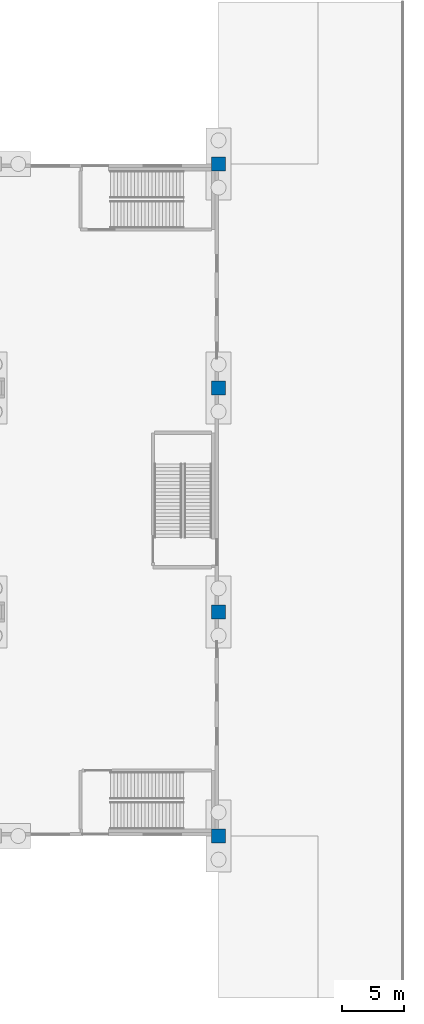
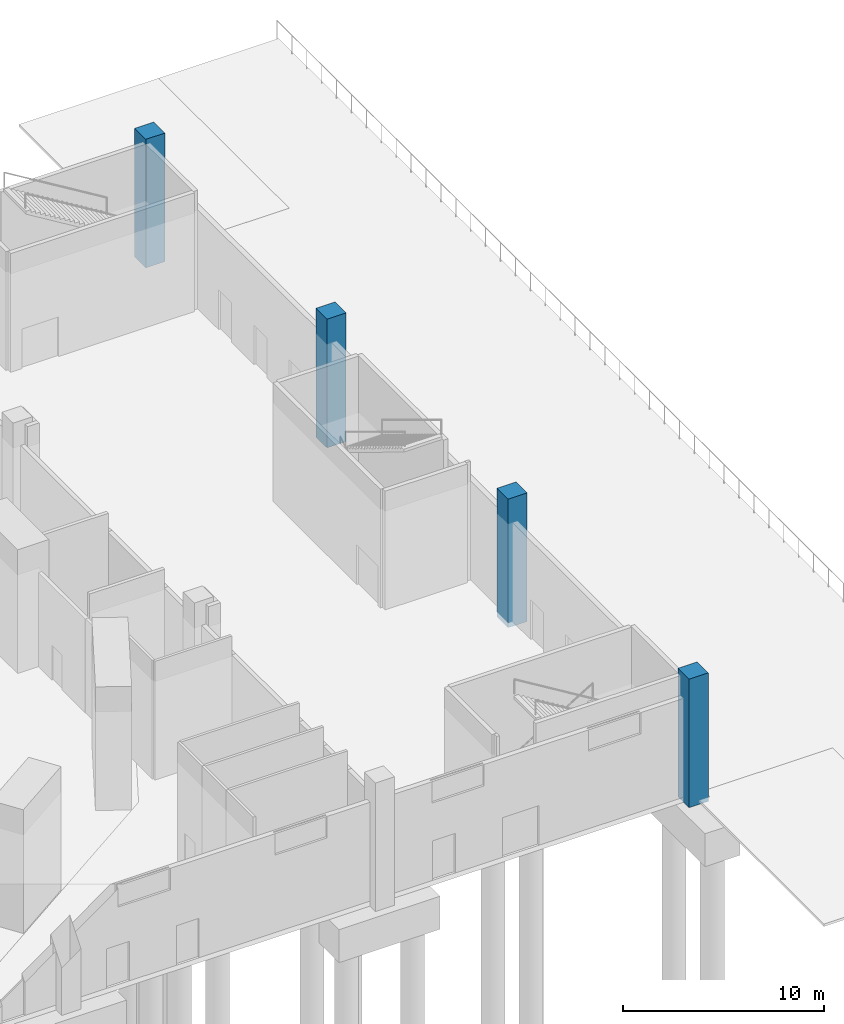
# One storey, part 3 of 16: 4 columns.
"""IFC4 building model written with IfcOpenShell, lengths in metres."""

from ifc_helpers import new_model, si_unit, direction, frame, origin, origin_2d, place, context, subcontext, project, spatial, rectangle, extrude, material, material_profile, profile_set, type_object, element, save


model = new_model("IFC4")

# Units and contexts
model_context = context("Model", 3, precision=1e-05, world=origin(), true_north=direction((0.0, 1.0)))
body_context = subcontext(model_context, "Body", "Model", "MODEL_VIEW")
ifc_project = project(units=[si_unit("LENGTHUNIT", "METRE"), si_unit("AREAUNIT", "SQUARE_METRE"), si_unit("VOLUMEUNIT", "CUBIC_METRE"), si_unit("PLANEANGLEUNIT", "RADIAN"), si_unit("MASSUNIT", "GRAM", prefix="KILO")], contexts=[model_context])

# Site, building, storey
site_placement = place(None, origin())
site = spatial("IfcSite", under=ifc_project, at=site_placement, CompositionType="ELEMENT")
building_placement = place(site_placement, origin())
building = spatial("IfcBuilding", under=site, at=building_placement, Name="Vanh Sen Convention Tower", CompositionType="ELEMENT")
storey_placement = place(building_placement, origin())
storey = spatial("IfcBuildingStorey", under=building, at=storey_placement, Name="L00", CompositionType="ELEMENT", Elevation=0.0)

# Columns
ifc_material = material(Name="Concrete C80/95", Category="concrete")
ifc_material_profile = material_profile(ifc_material, rectangle(XDim=1.10009765625, YDim=1.10009765625, at=origin_2d()), Name="RC 1100X1100")
ifc_profile_set = profile_set([ifc_material_profile], Name="Concrete C80/95")
column_type = type_object("IfcColumnType", Name="Podium column 1100 x 1100 C80/95", PredefinedType="COLUMN", material=ifc_profile_set)
for number, where, z_axis, x_axis, name in (
    (1, (45.0, -27.0, -0.300048828125), (0.0, 0.0, 1.0), (1.0, 0.0, 0.0), "Podium column 13 L00"),
    (2, (45.0, -9.0, -0.300048828125), (0.0, 0.0, 1.0), (1.0, 0.0, 0.0), "Podium column 14 L00"),
    (3, (45.0, 9.0, -0.300048828125), (0.0, 0.0, 1.0), (1.0, 0.0, 0.0), "Podium column 15 L00"),
    (4, (45.0, 27.0, -0.300048828125), (0.0, 0.0, 1.0), (1.0, 0.0, 0.0), "Podium column 16 L00"),
):
    element("IfcColumn", number, at=place(storey_placement, frame(where, z_axis=z_axis, x_axis=x_axis)), inside=storey, type_object=column_type, Name=name, PredefinedType="COLUMN", context=body_context, shape_type="SweptSolid", body=[
        extrude(rectangle(XDim=1.10009765625, YDim=1.10009765625, at=origin_2d()), origin(), (0.0, 0.0, 1.0), 7.800048828125),
    ])

save(model, "model.ifc")
